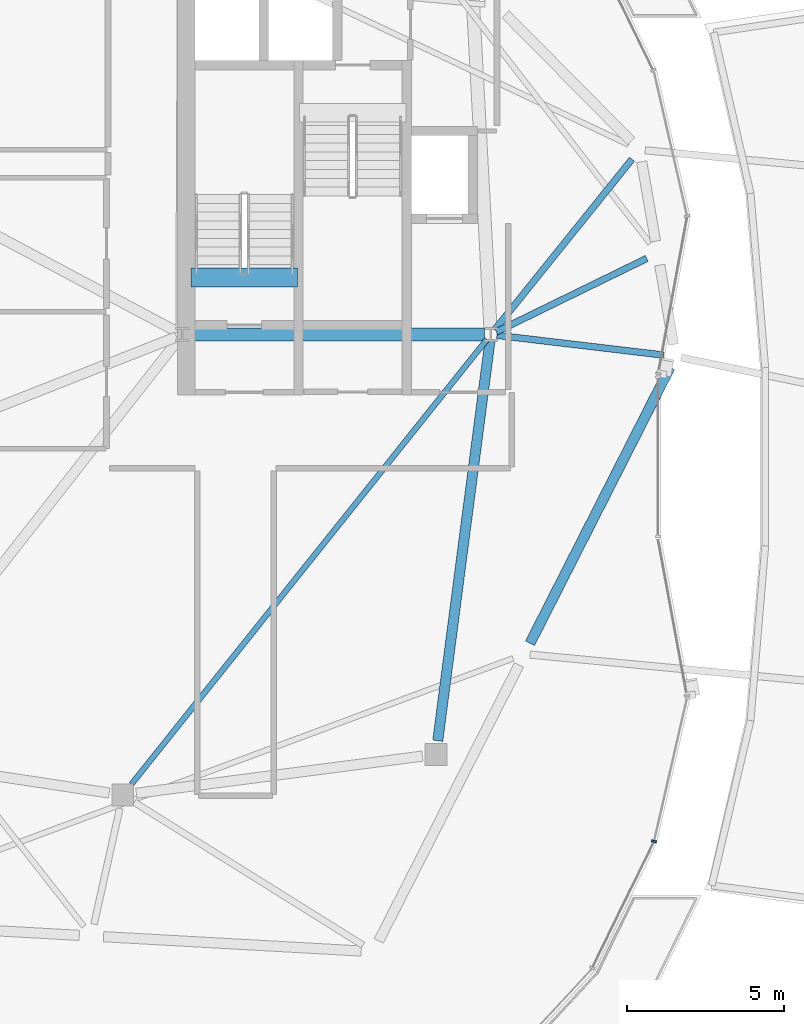
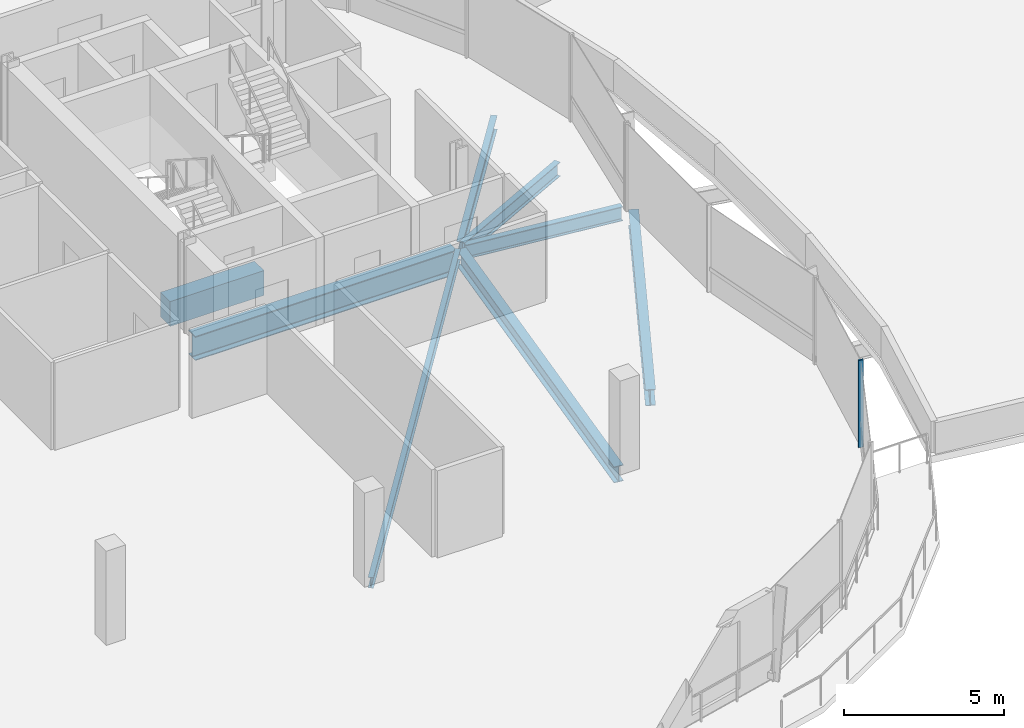
# One storey, part 5 of 31: 8 beams, 1 member, 1 element without a shape of its own.
"""IFC4 building model written with IfcOpenShell, lengths in metres."""

from ifc_helpers import new_model, si_unit, direction, frame, origin, origin_2d, place, context, subcontext, project, spatial, rectangle, i_section, extrude, material, material_profile, profile_set, type_object, element, aggregate, save


model = new_model("IFC4")

# Units and contexts
model_context = context("Model", 3, precision=1e-05, world=origin(), true_north=direction((0.0, 1.0)))
body_context = subcontext(model_context, "Body", "Model", "MODEL_VIEW")
ifc_project = project(units=[si_unit("LENGTHUNIT", "METRE"), si_unit("AREAUNIT", "SQUARE_METRE"), si_unit("VOLUMEUNIT", "CUBIC_METRE"), si_unit("PLANEANGLEUNIT", "RADIAN"), si_unit("MASSUNIT", "GRAM", prefix="KILO"), si_unit("THERMODYNAMICTEMPERATUREUNIT", "KELVIN"), si_unit("POWERUNIT", "WATT")], contexts=[model_context])

# Site, building, storey
site_placement = place(None, origin())
site = spatial("IfcSite", under=ifc_project, at=site_placement, CompositionType="ELEMENT")
building_placement = place(site_placement, origin())
building = spatial("IfcBuilding", under=site, at=building_placement, Name="Cundina Bronze Exchange", CompositionType="ELEMENT")
storey_placement = place(building_placement, frame((0.0, 0.0, 275.60009765625)))
storey = spatial("IfcBuildingStorey", under=building, at=storey_placement, Name="L73", CompositionType="ELEMENT", Elevation=275.60009765625)

# Beams
ifc_material_1 = material(Name="Concrete C60/75", Category="concrete")
ifc_material_profile_1 = material_profile(ifc_material_1, rectangle(XDim=0.60009765625, YDim=0.949951171875, at=origin_2d()), Name="RC600X950", Category="concrete")
ifc_profile_set_1 = profile_set([ifc_material_profile_1], Name="Concrete C60/75")
beam_type_1 = type_object("IfcBeamType", Name="BM-COUP-RC950", PredefinedType="LINTEL", material=ifc_profile_set_1)
beam_1_placement = place(storey_placement, frame((-31.02001953125, 5.719970703125, -0.47509765625), z_axis=(1.0, 0.0, 0.0), x_axis=(0.0, 1.0, 0.0)))
element("IfcBeam", 1, at=beam_1_placement, inside=storey, type_object=beam_type_1, Name="L73 Stair W1 Landing Header Beam", PredefinedType="LINTEL", context=body_context, shape_type="SweptSolid", body=[
    extrude(rectangle(XDim=0.60009765625, YDim=0.949951171875, at=origin_2d()), origin(), (0.0, 0.0, 1.0), 3.39990234375),
])
ifc_material_2 = material(Name="Steel ASTM A992 Grade 50", Category="steel")
ifc_material_profile_2 = material_profile(ifc_material_2, i_section(OverallWidth=0.2119140625, OverallDepth=0.5439453125, WebThickness=0.01318359375, FlangeThickness=0.021240234375, FilletRadius=0.013916015625, at=origin_2d()), Name="W21X83", Category="steel")
ifc_profile_set_2 = profile_set([ifc_material_profile_2], Name="Steel ASTM A992 Grade 50")
beam_type_2 = type_object("IfcBeamType", Name="BM-FLR-W21A", PredefinedType="BEAM", material=ifc_profile_set_2)
beam_2_placement = place(storey_placement, frame((-21.25537109375, 3.876953125, -0.531982421875), z_axis=(0.993031892142, -0.117845921393, 0.0), x_axis=(0.117845921393, 0.993031892142, 0.0)))
element("IfcBeam", 2, at=beam_2_placement, inside=storey, type_object=beam_type_2, Name="L73 Leg W Radial Floor Beam 00", PredefinedType="BEAM", context=body_context, shape_type="SweptSolid", body=[
    extrude(i_section(OverallWidth=0.2119140625, OverallDepth=0.5439453125, WebThickness=0.01318359375, FlangeThickness=0.021240234375, FilletRadius=0.013916015625, at=origin_2d()), origin(), (0.0, 0.0, 1.0), 5.357421875),
])
beam_3_placement = place(storey_placement, frame((-21.27392578125, 3.986083984375, -0.531982421875), z_axis=(0.898610260891, 0.438747762412, 0.0), x_axis=(-0.438747762412, 0.898610260891, 0.0)))
element("IfcBeam", 3, at=beam_3_placement, inside=storey, type_object=beam_type_2, Name="L73 Leg W Radial Floor Beam 01", PredefinedType="BEAM", context=body_context, shape_type="SweptSolid", body=[
    extrude(i_section(OverallWidth=0.2119140625, OverallDepth=0.5439453125, WebThickness=0.01318359375, FlangeThickness=0.021240234375, FilletRadius=0.013916015625, at=origin_2d()), origin(), (0.0, 0.0, 1.0), 5.341796875),
])
beam_4_placement = place(storey_placement, frame((-21.3271484375, 4.052734375, -0.531982421875), z_axis=(0.627111236784, 0.778929712297, 0.0), x_axis=(-0.778929712297, 0.627111236784, 0.0)))
element("IfcBeam", 4, at=beam_4_placement, inside=storey, type_object=beam_type_2, Name="L73 Leg W Radial Floor Beam 02", PredefinedType="BEAM", context=body_context, shape_type="SweptSolid", body=[
    extrude(i_section(OverallWidth=0.2119140625, OverallDepth=0.5439453125, WebThickness=0.01318359375, FlangeThickness=0.021240234375, FilletRadius=0.013916015625, at=origin_2d()), origin(), (0.0, 0.0, 1.0), 6.990478515625),
])
ifc_material_profile_3 = material_profile(ifc_material_2, i_section(OverallWidth=0.178955078125, OverallDepth=0.409912109375, WebThickness=0.0087890625, FlangeThickness=0.014404296875, FilletRadius=0.010986328125, at=origin_2d()), Name="W16X45", Category="steel")
ifc_profile_set_3 = profile_set([ifc_material_profile_3], Name="Steel ASTM A992 Grade 50")
beam_type_3 = type_object("IfcBeamType", Name="BM-JST-W16", PredefinedType="JOIST", material=ifc_profile_set_3)
beam_5_placement = place(storey_placement, frame((-21.572509765625, 3.746826171875, -0.465087890625), z_axis=(-0.624364266872, -0.781133319129, 0.0), x_axis=(0.781133319129, -0.624364266872, 0.0)))
element("IfcBeam", 5, at=beam_5_placement, inside=storey, type_object=beam_type_3, Name="L73 W Interior Core-to-Ring Joist 2", PredefinedType="JOIST", context=body_context, shape_type="SweptSolid", body=[
    extrude(i_section(OverallWidth=0.178955078125, OverallDepth=0.409912109375, WebThickness=0.0087890625, FlangeThickness=0.014404296875, FilletRadius=0.010986328125, at=origin_2d()), origin(), (0.0, 0.0, 1.0), 18.184814453125),
])
ifc_material_profile_4 = material_profile(ifc_material_2, i_section(OverallWidth=0.324951171875, OverallDepth=0.615966796875, WebThickness=0.013916015625, FlangeThickness=0.021484375, FilletRadius=0.01611328125, at=origin_2d()), Name="W24X117", Category="steel")
ifc_profile_set_4 = profile_set([ifc_material_profile_4], Name="Steel ASTM A992 Grade 50")
beam_type_4 = type_object("IfcBeamType", Name="BM-RING-W24", PredefinedType="USERDEFINED", material=ifc_profile_set_4)
beam_6_placement = place(storey_placement, frame((-23.143310546875, -9.065673828125, -0.568115234375), z_axis=(0.129501251979, 0.991579258424, 0.0), x_axis=(-0.991579258424, 0.129501251979, 0.0)))
element("IfcBeam", 6, at=beam_6_placement, inside=storey, type_object=beam_type_4, Name="L73 W Inner Structural Ring Girder 07", ObjectType="GIRDER", PredefinedType="USERDEFINED", context=body_context, shape_type="SweptSolid", body=[
    extrude(i_section(OverallWidth=0.324951171875, OverallDepth=0.615966796875, WebThickness=0.013916015625, FlangeThickness=0.021484375, FilletRadius=0.01611328125, at=origin_2d()), origin(), (0.0, 0.0, 1.0), 12.8798828125),
])
beam_7_placement = place(storey_placement, frame((-20.19921875, -5.9541015625, -0.568115234375), z_axis=(0.452839263805, 0.891592171991, 0.0), x_axis=(-0.891592171991, 0.452839263805, 0.0)))
element("IfcBeam", 7, at=beam_7_placement, inside=storey, type_object=beam_type_4, Name="L73 W Perimeter Ring Girder 13", ObjectType="GIRDER", PredefinedType="USERDEFINED", context=body_context, shape_type="SweptSolid", body=[
    extrude(i_section(OverallWidth=0.324951171875, OverallDepth=0.615966796875, WebThickness=0.013916015625, FlangeThickness=0.021484375, FilletRadius=0.01611328125, at=origin_2d()), origin(), (0.0, 0.0, 1.0), 9.879150390625),
])
ifc_material_profile_5 = material_profile(ifc_material_2, i_section(OverallWidth=0.41796875, OverallDepth=0.927001953125, WebThickness=0.019287109375, FlangeThickness=0.031982421875, FilletRadius=0.02392578125, at=origin_2d()), Name="W36X231", Category="steel")
ifc_profile_set_5 = profile_set([ifc_material_profile_5], Name="Steel ASTM A992 Grade 50")
beam_type_5 = type_object("IfcBeamType", Name="BM-WRN-W36B", PredefinedType="USERDEFINED", material=ifc_profile_set_5)
beam_8_placement = place(storey_placement, frame((-31.10400390625, 3.89990234375, -0.7236328125), z_axis=(1.0, 0.0, 0.0), x_axis=(0.0, 1.0, 0.0)))
element("IfcBeam", 8, at=beam_8_placement, inside=storey, type_object=beam_type_5, Name="L73 W Core Perimeter Tie Girder 1", ObjectType="GIRDER", PredefinedType="USERDEFINED", context=body_context, shape_type="SweptSolid", body=[
    extrude(i_section(OverallWidth=0.41796875, OverallDepth=0.927001953125, WebThickness=0.019287109375, FlangeThickness=0.031982421875, FilletRadius=0.02392578125, at=origin_2d()), origin(), (0.0, 0.0, 1.0), 9.4580078125),
])

# Curtain wall, member
ifc_material_3 = material(Name="Anodised Bronze Aluminium 6063-T6", Category="aluminium")
curtain_wall_type = type_object("IfcCurtainWallType", Name="CWS-CRN-TMD", PredefinedType="NOTDEFINED", material=ifc_material_3)
curtain_wall_placement = place(storey_placement, origin())
curtain_wall = element("IfcCurtainWall", 9, at=curtain_wall_placement, inside=storey, type_object=curtain_wall_type, Name="L73 CW-07 Curtain Wall Run CWR-L73-W4", PredefinedType="NOTDEFINED")
ifc_material_profile_6 = material_profile(ifc_material_3, rectangle(XDim=0.06494140625, YDim=0.159912109375, at=origin_2d()), Name="AL65X160", Category="aluminium")
ifc_profile_set_6 = profile_set([ifc_material_profile_6], Name="Anodised Bronze Aluminium 6063-T6")
member_type = type_object("IfcMemberType", Name="CWM-MUL-160", PredefinedType="MULLION", material=ifc_profile_set_6)
member_placement = place(storey_placement, frame((-16.2412109375, -12.2763671875, 0.0), z_axis=(0.0, 0.0, 1.0), x_axis=(0.223930573241, 0.974605098677, 0.0)))
member = element("IfcMember", 10, at=member_placement, type_object=member_type, Name="CW-07 Mullion 4", PredefinedType="MULLION", context=body_context, shape_type="SweptSolid", body=[
    extrude(rectangle(XDim=0.06494140625, YDim=0.159912109375, at=origin_2d()), origin(), (0.0, 0.0, 1.0), 3.33984375),
])
aggregate(curtain_wall, [member])

save(model, "model.ifc")
